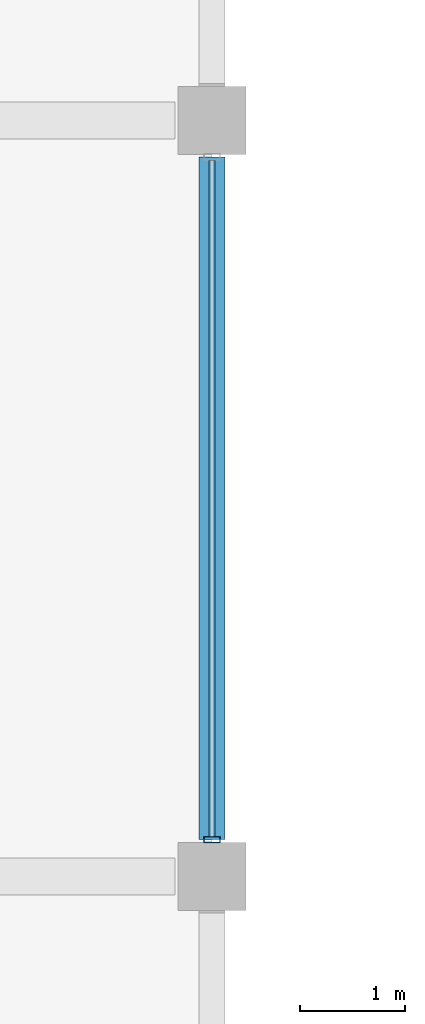
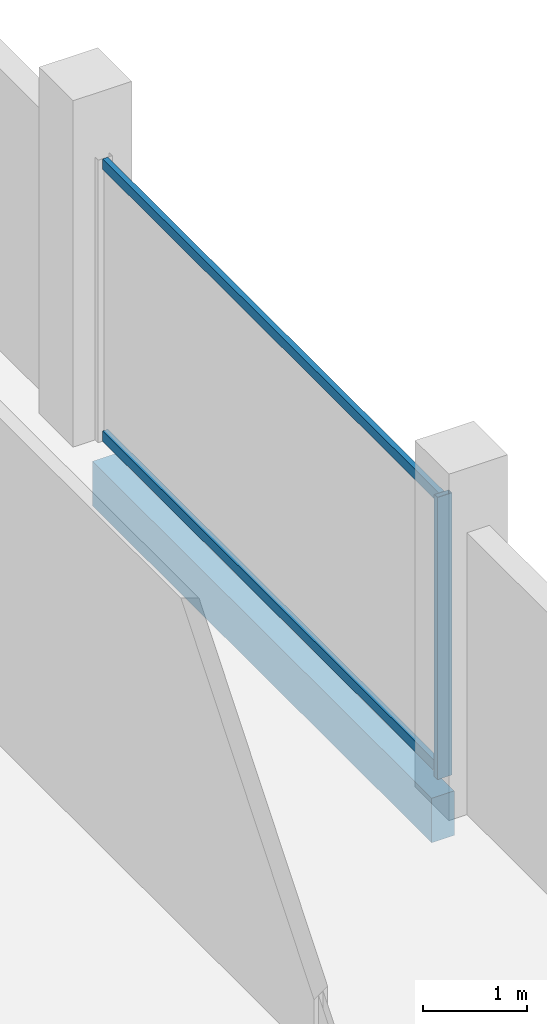
# One storey, part 6 of 59: 3 members, 1 beam, 1 element without a shape of its own.
"""IFC4 building model written with IfcOpenShell, lengths in metres."""

import ifcopenshell
import ifcopenshell.guid

model = None  # the IFC model being written
_history = None  # IfcOwnerHistory: only IFC2X3 demands one
_inside = {}  # id of a spatial element -> (the spatial element, [elements in it])
_under = {}  # id of a project, library or spatial element -> (it, [spatial elements below it])
_declared = {}  # id of a project -> (the project, [libraries it declares])
_typed = {}  # id of a type object -> (the type object, [elements of that type])
_made_of = {}  # id of a material, layer set ... -> (it, [elements and type objects made of it])


def new_model(schema):
    """Start an empty IFC model of exactly this schema.

    Asked for "IFC4X3", IfcOpenShell would pick the latest addendum, in which some entities
    have other attributes; the version numbers below select the first issue.
    IFC2X3 requires an IfcOwnerHistory on every rooted entity: one is made here for all.
    """
    global model, _history
    if schema == "IFC4X3":
        model = ifcopenshell.file(schema_version=(4, 3, 0, 0))
    else:
        model = ifcopenshell.file(schema=schema)
    _inside.clear()
    _under.clear()
    _declared.clear()
    _typed.clear()
    _made_of.clear()
    _history = None
    if model.schema == "IFC2X3":
        org = make("IfcOrganization", Name="unknown")
        user = make(
            "IfcPersonAndOrganization",
            ThePerson=make("IfcPerson", FamilyName="unknown"),
            TheOrganization=org,
        )
        app = make(
            "IfcApplication",
            ApplicationDeveloper=org,
            Version="unknown",
            ApplicationFullName="unknown",
            ApplicationIdentifier="unknown",
        )
        _history = make(
            "IfcOwnerHistory",
            OwningUser=user,
            OwningApplication=app,
            ChangeAction="ADDED",
            CreationDate=0,
        )
    return model


def make(cls, **values):
    """One entity of the class cls with the attributes given. An attribute that is None is left unset."""
    return model.create_entity(
        cls, **{name: value for name, value in values.items() if value is not None}
    )


def rooted(cls, **values):
    """An entity with a GlobalId (a new one), such as an element, a storey or a relation."""
    return make(cls, GlobalId=ifcopenshell.guid.new(), OwnerHistory=_history, **values)


def si_unit(unit_type, name, prefix=None):
    """IfcSIUnit, for example si_unit("LENGTHUNIT", "METRE", prefix="MILLI")."""
    return make("IfcSIUnit", UnitType=unit_type, Prefix=prefix, Name=name)


def assignment(units):
    """IfcUnitAssignment: the units of a project."""
    return None if units is None else make("IfcUnitAssignment", Units=units)


def point(xyz):
    """IfcCartesianPoint."""
    return None if xyz is None else make("IfcCartesianPoint", Coordinates=xyz)


def direction(xyz):
    """IfcDirection."""
    return None if xyz is None else make("IfcDirection", DirectionRatios=xyz)


def frame(location, z_axis=None, x_axis=None):
    """IfcAxis2Placement3D, a coordinate frame: its origin and axes. An axis left out is left unset."""
    return make(
        "IfcAxis2Placement3D",
        Location=point(location),
        Axis=direction(z_axis),
        RefDirection=direction(x_axis),
    )


def frame_2d(location, x_axis=None):
    """IfcAxis2Placement2D, a coordinate frame in the plane: its origin and x axis."""
    return make(
        "IfcAxis2Placement2D", Location=point(location), RefDirection=direction(x_axis)
    )


def origin():
    """The frame at (0, 0, 0) with its axes left unset."""
    return frame((0.0, 0.0, 0.0))


def origin_2d():
    """The frame at (0, 0) in the plane with its x axis left unset."""
    return frame_2d((0.0, 0.0))


def place(relative_to, where):
    """IfcLocalPlacement: puts the frame where relative to a parent placement (None: the world)."""
    return make(
        "IfcLocalPlacement", PlacementRelTo=relative_to, RelativePlacement=where
    )


def context(
    kind, dimensions, precision=None, world=None, true_north=None, identifier=None
):
    """IfcGeometricRepresentationContext, for example the 3D "Model" context."""
    return make(
        "IfcGeometricRepresentationContext",
        ContextIdentifier=identifier,
        ContextType=kind,
        CoordinateSpaceDimension=dimensions,
        Precision=precision,
        WorldCoordinateSystem=world,
        TrueNorth=true_north,
    )


def subcontext(parent, identifier, kind, view, scale=None):
    """IfcGeometricRepresentationSubContext, for example "Body" below "Model"."""
    return make(
        "IfcGeometricRepresentationSubContext",
        ContextIdentifier=identifier,
        ContextType=kind,
        ParentContext=parent,
        TargetScale=scale,
        TargetView=view,
    )


def project(units=None, contexts=None):
    """IfcProject with its units and contexts."""
    return rooted(
        "IfcProject",
        Name="project",
        RepresentationContexts=contexts,
        UnitsInContext=assignment(units),
    )


def spatial(cls, under=None, at=None, **own):
    """A site, building, storey or space (cls), placed at a placement, below another one or the project."""
    s = rooted(cls, ObjectPlacement=at, **own)
    if under is not None:
        _under.setdefault(under.id(), (under, []))[1].append(s)
    return s


def profile(cls, at=None, kind="AREA", **sizes):
    """A parametric profile (cls). Its sizes go by their IFC names, for example OverallWidth=200.0."""
    return make(cls, ProfileType=kind, Position=at, **sizes)


def rectangle(**sizes):
    """IfcRectangleProfileDef."""
    return profile("IfcRectangleProfileDef", **sizes)


def hollow_rectangle(**sizes):
    """IfcRectangleHollowProfileDef."""
    return profile("IfcRectangleHollowProfileDef", **sizes)


def extrude(swept, where, along, depth):
    """IfcExtrudedAreaSolid: the profile swept, set in the frame where, extruded along a direction by depth."""
    return make(
        "IfcExtrudedAreaSolid",
        SweptArea=swept,
        Position=where,
        ExtrudedDirection=direction(along),
        Depth=depth,
    )


def shape(context_of_items, identifier, shape_type, items):
    """IfcShapeRepresentation: the items that make up one representation, for example the "Body"."""
    return make(
        "IfcShapeRepresentation",
        ContextOfItems=context_of_items,
        RepresentationIdentifier=identifier,
        RepresentationType=shape_type,
        Items=items,
    )


def material(Name=None, Category=None):
    """IfcMaterial."""
    return make("IfcMaterial", Name=Name, Category=Category)


def layer(
    of_material, thickness, ventilated=None, Name=None, Category=None, Priority=None
):
    """IfcMaterialLayer: one layer of a wall or slab, of a material (None: an air gap)."""
    return make(
        "IfcMaterialLayer",
        Material=of_material,
        LayerThickness=thickness,
        IsVentilated=ventilated,
        Name=Name,
        Category=Category,
        Priority=Priority,
    )


def layer_set(layers, Name=None):
    """IfcMaterialLayerSet."""
    return make("IfcMaterialLayerSet", MaterialLayers=layers, LayerSetName=Name)


def material_profile(
    of_material, cross_section, Name=None, Category=None, Priority=None
):
    """IfcMaterialProfile: a cross section and its material."""
    return make(
        "IfcMaterialProfile",
        Name=Name,
        Material=of_material,
        Profile=cross_section,
        Priority=Priority,
        Category=Category,
    )


def profile_set(profiles, Name=None, composite=None):
    """IfcMaterialProfileSet."""
    return make(
        "IfcMaterialProfileSet",
        Name=Name,
        MaterialProfiles=profiles,
        CompositeProfile=composite,
    )


def made_of(thing, what):
    """Note that an element or type object is made of a material, layer set ...; save() writes the relation."""
    if what is not None:
        _made_of.setdefault(what.id(), (what, []))[1].append(thing)
    return thing


def type_object(cls, material=None, **own):
    """A type object (cls), such as IfcWallType, which elements share."""
    return made_of(rooted(cls, **own), material)


def element(
    cls,
    number,
    at=None,
    inside=None,
    cuts=None,
    type_object=None,
    material=None,
    context=None,
    identifier="Body",
    shape_type=None,
    held_by="IfcProductDefinitionShape",
    body=None,
    shapes=None,
    **own,
):
    """One element of the class cls, such as IfcWall. Its Tag is "e" and its number.

    at: its placement. inside: the storey or other place that contains it. cuts: it is an
    opening in that element (IfcRelVoidsElement). A single representation is given by context,
    identifier, shape_type and body (its items); several are given by shapes. held_by: the class
    of the entity that holds the representations. save() writes the other relations.
    """
    e = rooted(cls, Tag="e%d" % number, ObjectPlacement=at, **own)
    if body is not None:
        shapes = [shape(context, identifier, shape_type, body)]
    if shapes is not None:
        e.Representation = make(held_by, Representations=shapes)
    if inside is not None:
        _inside.setdefault(inside.id(), (inside, []))[1].append(e)
    if cuts is not None:
        rooted(
            "IfcRelVoidsElement", RelatingBuildingElement=cuts, RelatedOpeningElement=e
        )
    if type_object is not None:
        _typed.setdefault(type_object.id(), (type_object, []))[1].append(e)
    return made_of(e, material)


def aggregate(whole, parts):
    """IfcRelAggregates: a whole, such as a stair, and the parts it consists of."""
    return rooted("IfcRelAggregates", RelatingObject=whole, RelatedObjects=parts)


def save(model, path):
    """Write the relations noted so far, then the file.

    IfcRelAggregates (storeys below a building ...), IfcRelContainedInSpatialStructure (elements
    in a storey), IfcRelDefinesByType, IfcRelAssociatesMaterial and IfcRelDeclares: one each for
    every whole, place, type object, material and project.
    """
    for whole, parts in _under.values():
        aggregate(whole, parts)
    for where, things in _inside.values():
        rooted(
            "IfcRelContainedInSpatialStructure",
            RelatedElements=things,
            RelatingStructure=where,
        )
    for kind, things in _typed.values():
        rooted("IfcRelDefinesByType", RelatedObjects=things, RelatingType=kind)
    for what, things in _made_of.values():
        rooted("IfcRelAssociatesMaterial", RelatedObjects=things, RelatingMaterial=what)
    for by, libraries in _declared.values():
        rooted("IfcRelDeclares", RelatingContext=by, RelatedDefinitions=libraries)
    model.write(path)


model = new_model("IFC4")

# Units and contexts
model_context = context("Model", 3, precision=1e-05, world=origin(), true_north=direction((0.0, 1.0)))
body_context = subcontext(model_context, "Body", "Model", "MODEL_VIEW")
ifc_project = project(units=[si_unit("LENGTHUNIT", "METRE"), si_unit("AREAUNIT", "SQUARE_METRE"), si_unit("VOLUMEUNIT", "CUBIC_METRE"), si_unit("PLANEANGLEUNIT", "RADIAN"), si_unit("MASSUNIT", "GRAM", prefix="KILO")], contexts=[model_context])

# Site, building, storey
site_placement = place(None, origin())
site = spatial("IfcSite", under=ifc_project, at=site_placement, CompositionType="ELEMENT")
building_placement = place(site_placement, origin())
building = spatial("IfcBuilding", under=site, at=building_placement, Name="Kangsadwip Square Police Headquarters", CompositionType="ELEMENT")
storey_placement = place(building_placement, frame((0.0, 0.0, 21.60009765625)))
storey = spatial("IfcBuildingStorey", under=building, at=storey_placement, Name="L05", CompositionType="ELEMENT", Elevation=21.60009765625)

# Curtain wall, members
ifc_material_1 = material(Name="Thermally broken anodised aluminium AW-6063-T6", Category="aluminium")
ifc_layer = layer(ifc_material_1, 0.159912109375)
ifc_layer_set = layer_set([ifc_layer], Name="Thermally broken anodised aluminium AW-6063-T6")
curtain_wall_type = type_object("IfcCurtainWallType", Name="CourtScreen6560x3300", PredefinedType="USERDEFINED", material=ifc_layer_set)
curtain_wall_placement = place(storey_placement, origin())
curtain_wall = element("IfcCurtainWall", 1, at=curtain_wall_placement, inside=storey, type_object=curtain_wall_type, Name="Curtain Wall CW-L05-0216-0795", ObjectType="GLAZED_SCREEN", PredefinedType="USERDEFINED")
ifc_material_2 = material(Name="Thermally broken anodised aluminium AW-6063-T6", Category="aluminium")
ifc_material_profile_1 = material_profile(ifc_material_2, hollow_rectangle(XDim=0.06005859375, YDim=0.159912109375, WallThickness=0.00390625, at=origin_2d()), Name="CWM 160X60X4")
ifc_profile_set_1 = profile_set([ifc_material_profile_1], Name="Thermally broken anodised aluminium AW-6063-T6")
member_type_1 = type_object("IfcMemberType", Name="CwMullion135x60", PredefinedType="MULLION", material=ifc_profile_set_1)
member_1_placement = place(storey_placement, frame((21.60009765625, 79.550048828125, 0.0), z_axis=(0.0, 0.0, 1.0), x_axis=(0.0, 1.0, 0.0)))
member_1 = element("IfcMember", 2, at=member_1_placement, type_object=member_type_1, Name="CW-48 mullion 1", PredefinedType="MULLION", context=body_context, shape_type="SweptSolid", body=[
    extrude(hollow_rectangle(XDim=0.06005859375, YDim=0.159912109375, WallThickness=0.00390625, at=origin_2d()), origin(), (0.0, 0.0, 1.0), 3.2998046875),
])
ifc_material_3 = material(Name="Thermally broken anodised aluminium AW-6063-T6", Category="aluminium")
ifc_material_profile_2 = material_profile(ifc_material_3, hollow_rectangle(XDim=0.06005859375, YDim=0.1201171875, WallThickness=0.00390625, at=origin_2d()), Name="CWT 120X60X4")
ifc_profile_set_2 = profile_set([ifc_material_profile_2], Name="Thermally broken anodised aluminium AW-6063-T6")
member_type_2 = type_object("IfcMemberType", Name="CwTransom120x55", PredefinedType="USERDEFINED", material=ifc_profile_set_2)
member_2_placement = place(storey_placement, frame((21.60009765625, 79.580078125, 0.059814453125), z_axis=(0.0, 1.0, 0.0), x_axis=(-1.0, 0.0, 0.0)))
member_2 = element("IfcMember", 3, at=member_2_placement, type_object=member_type_2, Name="CW-48 transom 1.1", ObjectType="TRANSOM", PredefinedType="USERDEFINED", context=body_context, shape_type="SweptSolid", body=[
    extrude(hollow_rectangle(XDim=0.06005859375, YDim=0.1201171875, WallThickness=0.00390625, at=origin_2d()), origin(), (0.0, 0.0, 1.0), 6.43994140625),
])
member_3_placement = place(storey_placement, frame((21.60009765625, 79.580078125, 3.239990234375), z_axis=(0.0, 1.0, 0.0), x_axis=(-1.0, 0.0, 0.0)))
member_3 = element("IfcMember", 4, at=member_3_placement, type_object=member_type_2, Name="CW-48 transom 1.2", ObjectType="TRANSOM", PredefinedType="USERDEFINED", context=body_context, shape_type="SweptSolid", body=[
    extrude(hollow_rectangle(XDim=0.06005859375, YDim=0.1201171875, WallThickness=0.00390625, at=origin_2d()), origin(), (0.0, 0.0, 1.0), 6.43994140625),
])
aggregate(curtain_wall, [member_1, member_2, member_3])

# Beam
ifc_material_4 = material(Name="Concrete M35 (35 MPa)", Category="concrete")
ifc_material_profile_3 = material_profile(ifc_material_4, rectangle(XDim=0.25, YDim=0.52001953125, at=origin_2d()), Name="RC SPN 520X250")
ifc_profile_set_3 = profile_set([ifc_material_profile_3], Name="Concrete M35 (35 MPa)")
beam_type = type_object("IfcBeamType", Name="RcSpandrel520x250", PredefinedType="SPANDREL", material=ifc_profile_set_3)
beam_placement = place(storey_placement, frame((21.60009765625, 79.550048828125, -0.47998046875), z_axis=(0.0, 1.0, 0.0), x_axis=(-1.0, 0.0, 0.0)))
element("IfcBeam", 5, at=beam_placement, inside=storey, type_object=beam_type, Name="Beam BM-L05-Y-03-11", PredefinedType="SPANDREL", context=body_context, shape_type="SweptSolid", body=[
    extrude(rectangle(XDim=0.25, YDim=0.52001953125, at=origin_2d()), origin(), (0.0, 0.0, 1.0), 6.5),
])

save(model, "model.ifc")
